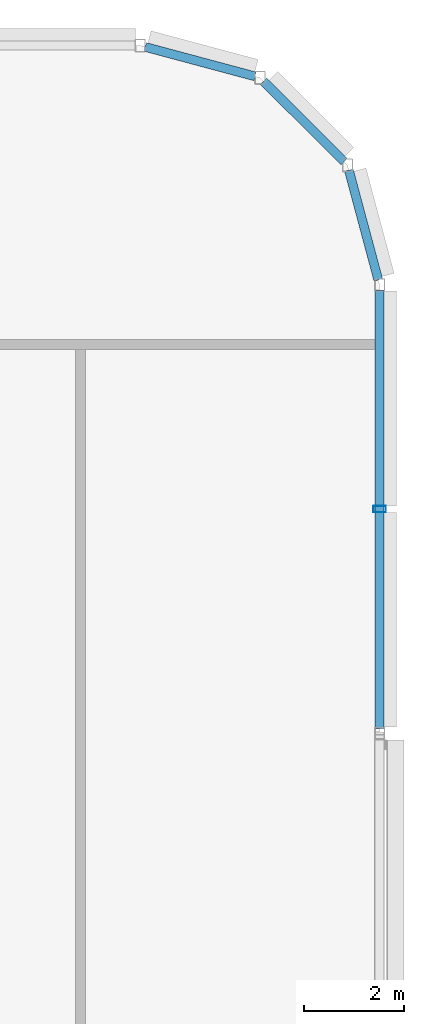
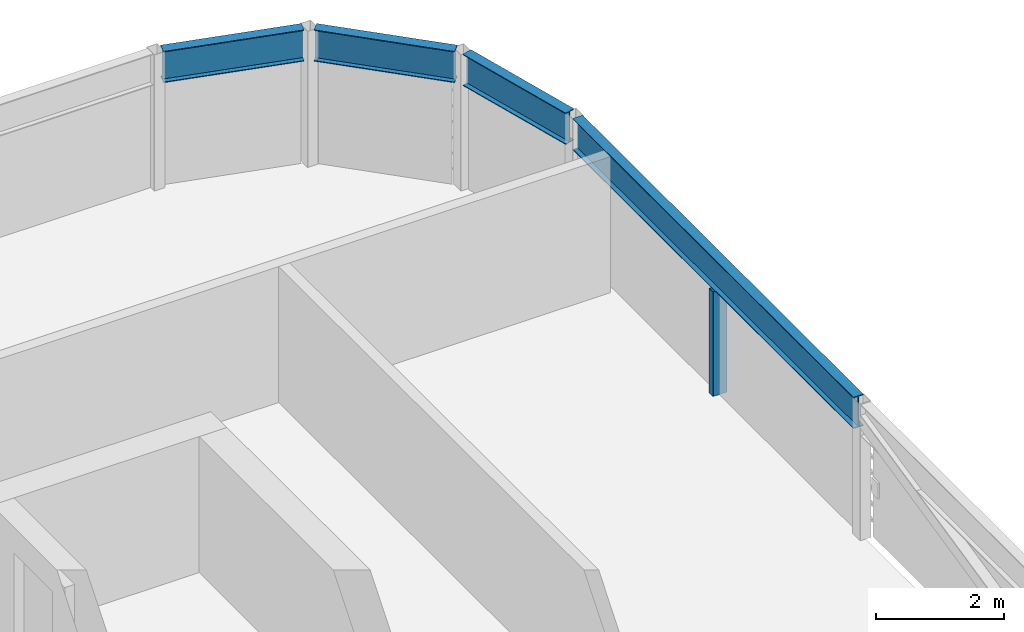
# One storey, part 14 of 27: 4 beams, 1 member.
"""IFC4 building model written with IfcOpenShell, lengths in metres."""

from ifc_helpers import new_model, si_unit, direction, frame, origin, origin_2d, place, context, subcontext, project, spatial, hollow_rectangle, i_section, extrude, material, material_profile, profile_set, type_object, element, save


model = new_model("IFC4")

# Units and contexts
model_context = context("Model", 3, precision=1e-05, world=origin(), true_north=direction((0.0, 1.0)))
body_context = subcontext(model_context, "Body", "Model", "MODEL_VIEW")
ifc_project = project(units=[si_unit("LENGTHUNIT", "METRE"), si_unit("AREAUNIT", "SQUARE_METRE"), si_unit("VOLUMEUNIT", "CUBIC_METRE"), si_unit("PLANEANGLEUNIT", "RADIAN"), si_unit("MASSUNIT", "GRAM", prefix="KILO")], contexts=[model_context])

# Site, building, storey
site_placement = place(None, origin())
site = spatial("IfcSite", under=ifc_project, at=site_placement, CompositionType="ELEMENT")
building_placement = place(site_placement, origin())
building = spatial("IfcBuilding", under=site, at=building_placement, Name="Madar Terraces", CompositionType="ELEMENT")
storey_placement = place(building_placement, frame((0.0, 0.0, 314.300048828125)))
storey = spatial("IfcBuildingStorey", under=building, at=storey_placement, Name="L81", CompositionType="ELEMENT", Elevation=314.300048828125)

# Beams
ifc_material_1 = material(Name="Steel ASTM A992 Grade 50", Category="steel")
ifc_material_profile_1 = material_profile(ifc_material_1, i_section(OverallWidth=0.1787109375, OverallDepth=0.60205078125, WebThickness=0.010986328125, FlangeThickness=0.014892578125, at=origin_2d()), Name="W24x62")
ifc_profile_set_1 = profile_set([ifc_material_profile_1], Name="Steel ASTM A992 Grade 50")
beam_type = type_object("IfcBeamType", Name="CF2 W24x62", PredefinedType="BEAM", material=ifc_profile_set_1)
beam_1_placement = place(storey_placement, frame((56.39990234375, 33.1015625, 2.299072265625), z_axis=(0.0, 1.0, 0.0), x_axis=(-1.0, 0.0, 0.0)))
element("IfcBeam", 1, at=beam_1_placement, inside=storey, type_object=beam_type, Name="Crown frame ring beam CF2", PredefinedType="BEAM", context=body_context, shape_type="SweptSolid", body=[
    extrude(i_section(OverallWidth=0.1787109375, OverallDepth=0.60205078125, WebThickness=0.010986328125, FlangeThickness=0.014892578125, at=origin_2d()), origin(), (0.0, 0.0, 1.0), 8.796875),
])
beam_2_placement = place(storey_placement, frame((56.373779296875, 42.09814453125, 2.299072265625), z_axis=(-0.258868028067, 0.965912700012, 0.0), x_axis=(-0.965912700012, -0.258868028067, 0.0)))
element("IfcBeam", 2, at=beam_2_placement, inside=storey, type_object=beam_type, Name="Crown frame ring beam CF2", PredefinedType="BEAM", context=body_context, shape_type="SweptSolid", body=[
    extrude(i_section(OverallWidth=0.1787109375, OverallDepth=0.60205078125, WebThickness=0.010986328125, FlangeThickness=0.014892578125, at=origin_2d()), origin(), (0.0, 0.0, 1.0), 2.281494140625),
])
beam_3_placement = place(storey_placement, frame((55.68505859375, 44.471923828125, 2.299072265625), z_axis=(-0.707160287053, 0.707053271271, 0.0), x_axis=(-0.707053271271, -0.707160287053, 0.0)))
element("IfcBeam", 3, at=beam_3_placement, inside=storey, type_object=beam_type, Name="Crown frame ring beam CF2", PredefinedType="BEAM", context=body_context, shape_type="SweptSolid", body=[
    extrude(i_section(OverallWidth=0.1787109375, OverallDepth=0.60205078125, WebThickness=0.010986328125, FlangeThickness=0.014892578125, at=origin_2d()), origin(), (0.0, 0.0, 1.0), 2.28125),
])
beam_4_placement = place(storey_placement, frame((53.90185546875, 46.18310546875, 2.299072265625), z_axis=(-0.965912700012, 0.258868028067, 0.0), x_axis=(-0.258868028067, -0.965912700012, 0.0)))
element("IfcBeam", 4, at=beam_4_placement, inside=storey, type_object=beam_type, Name="Crown frame ring beam CF2", PredefinedType="BEAM", context=body_context, shape_type="SweptSolid", body=[
    extrude(i_section(OverallWidth=0.1787109375, OverallDepth=0.60205078125, WebThickness=0.010986328125, FlangeThickness=0.014892578125, at=origin_2d()), origin(), (0.0, 0.0, 1.0), 2.281494140625),
])

# Member
ifc_material_2 = material(Name="Steel ASTM A500 Grade C", Category="steel")
ifc_material_profile_2 = material_profile(ifc_material_2, hollow_rectangle(XDim=0.126953125, YDim=0.25390625, WallThickness=0.00634765625, InnerFilletRadius=0.0029296875, OuterFilletRadius=0.0087890625, at=origin_2d()), Name="HSS10x5x.25")
ifc_profile_set_2 = profile_set([ifc_material_profile_2], Name="Steel ASTM A500 Grade C")
member_type = type_object("IfcMemberType", Name="LS2 HSS10x5x.25", PredefinedType="POST", material=ifc_profile_set_2)
member_placement = place(storey_placement, frame((56.39990234375, 37.5, 0.0), z_axis=(0.0, 0.0, 1.0), x_axis=(0.0, 1.0, 0.0)))
element("IfcMember", 5, at=member_placement, inside=storey, type_object=member_type, Name="Crown louvre post LS2", PredefinedType="POST", context=body_context, shape_type="SweptSolid", body=[
    extrude(hollow_rectangle(XDim=0.126953125, YDim=0.25390625, WallThickness=0.00634765625, InnerFilletRadius=0.0029296875, OuterFilletRadius=0.0087890625, at=origin_2d()), origin(), (0.0, 0.0, 1.0), 1.998046875),
])

save(model, "model.ifc")
